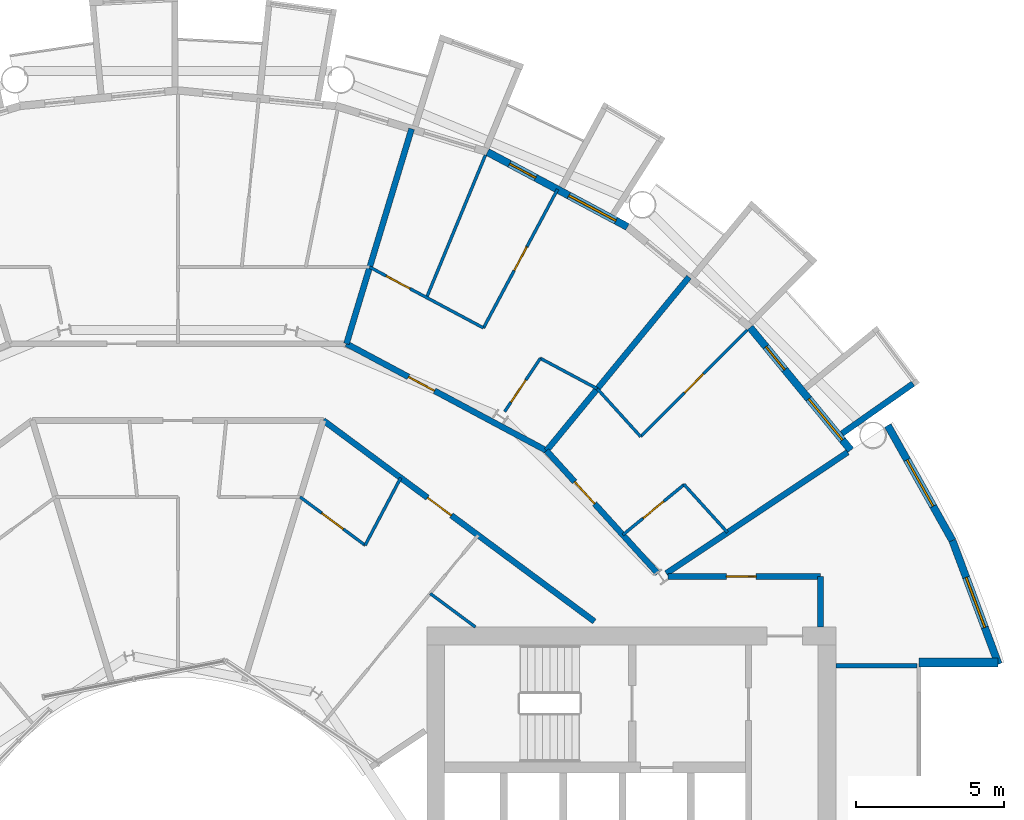
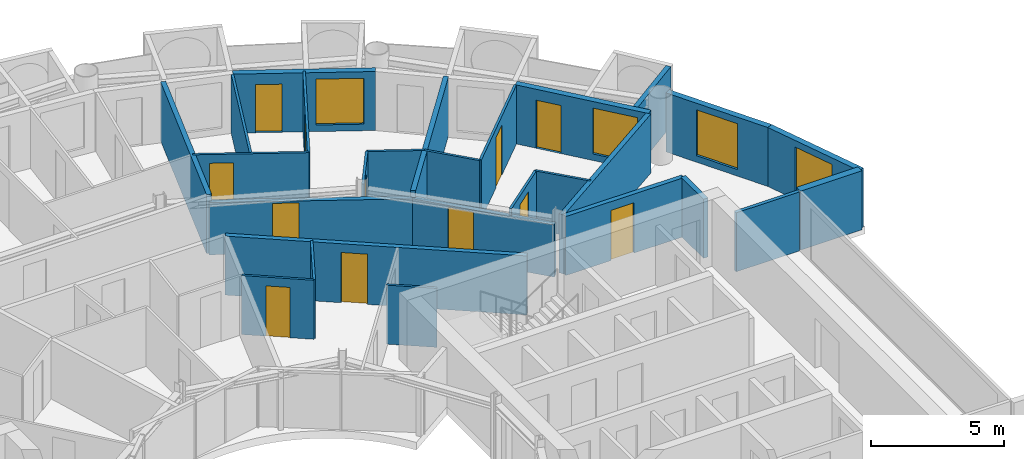
# One storey, part 22 of 27: 27 walls, 12 doors, 4 windows, 16 openings.
"""IFC4 building model written with IfcOpenShell, lengths in metres."""

import ifcopenshell
import ifcopenshell.guid

model = None  # the IFC model being written
_history = None  # IfcOwnerHistory: only IFC2X3 demands one
_inside = {}  # id of a spatial element -> (the spatial element, [elements in it])
_under = {}  # id of a project, library or spatial element -> (it, [spatial elements below it])
_declared = {}  # id of a project -> (the project, [libraries it declares])
_typed = {}  # id of a type object -> (the type object, [elements of that type])
_made_of = {}  # id of a material, layer set ... -> (it, [elements and type objects made of it])


def new_model(schema):
    """Start an empty IFC model of exactly this schema.

    Asked for "IFC4X3", IfcOpenShell would pick the latest addendum, in which some entities
    have other attributes; the version numbers below select the first issue.
    IFC2X3 requires an IfcOwnerHistory on every rooted entity: one is made here for all.
    """
    global model, _history
    if schema == "IFC4X3":
        model = ifcopenshell.file(schema_version=(4, 3, 0, 0))
    else:
        model = ifcopenshell.file(schema=schema)
    _inside.clear()
    _under.clear()
    _declared.clear()
    _typed.clear()
    _made_of.clear()
    _history = None
    if model.schema == "IFC2X3":
        org = make("IfcOrganization", Name="unknown")
        user = make(
            "IfcPersonAndOrganization",
            ThePerson=make("IfcPerson", FamilyName="unknown"),
            TheOrganization=org,
        )
        app = make(
            "IfcApplication",
            ApplicationDeveloper=org,
            Version="unknown",
            ApplicationFullName="unknown",
            ApplicationIdentifier="unknown",
        )
        _history = make(
            "IfcOwnerHistory",
            OwningUser=user,
            OwningApplication=app,
            ChangeAction="ADDED",
            CreationDate=0,
        )
    return model


def make(cls, **values):
    """One entity of the class cls with the attributes given. An attribute that is None is left unset."""
    return model.create_entity(
        cls, **{name: value for name, value in values.items() if value is not None}
    )


def rooted(cls, **values):
    """An entity with a GlobalId (a new one), such as an element, a storey or a relation."""
    return make(cls, GlobalId=ifcopenshell.guid.new(), OwnerHistory=_history, **values)


def si_unit(unit_type, name, prefix=None):
    """IfcSIUnit, for example si_unit("LENGTHUNIT", "METRE", prefix="MILLI")."""
    return make("IfcSIUnit", UnitType=unit_type, Prefix=prefix, Name=name)


def assignment(units):
    """IfcUnitAssignment: the units of a project."""
    return None if units is None else make("IfcUnitAssignment", Units=units)


def point(xyz):
    """IfcCartesianPoint."""
    return None if xyz is None else make("IfcCartesianPoint", Coordinates=xyz)


def direction(xyz):
    """IfcDirection."""
    return None if xyz is None else make("IfcDirection", DirectionRatios=xyz)


def frame(location, z_axis=None, x_axis=None):
    """IfcAxis2Placement3D, a coordinate frame: its origin and axes. An axis left out is left unset."""
    return make(
        "IfcAxis2Placement3D",
        Location=point(location),
        Axis=direction(z_axis),
        RefDirection=direction(x_axis),
    )


def frame_2d(location, x_axis=None):
    """IfcAxis2Placement2D, a coordinate frame in the plane: its origin and x axis."""
    return make(
        "IfcAxis2Placement2D", Location=point(location), RefDirection=direction(x_axis)
    )


def origin():
    """The frame at (0, 0, 0) with its axes left unset."""
    return frame((0.0, 0.0, 0.0))


def place(relative_to, where):
    """IfcLocalPlacement: puts the frame where relative to a parent placement (None: the world)."""
    return make(
        "IfcLocalPlacement", PlacementRelTo=relative_to, RelativePlacement=where
    )


def context(
    kind, dimensions, precision=None, world=None, true_north=None, identifier=None
):
    """IfcGeometricRepresentationContext, for example the 3D "Model" context."""
    return make(
        "IfcGeometricRepresentationContext",
        ContextIdentifier=identifier,
        ContextType=kind,
        CoordinateSpaceDimension=dimensions,
        Precision=precision,
        WorldCoordinateSystem=world,
        TrueNorth=true_north,
    )


def subcontext(parent, identifier, kind, view, scale=None):
    """IfcGeometricRepresentationSubContext, for example "Body" below "Model"."""
    return make(
        "IfcGeometricRepresentationSubContext",
        ContextIdentifier=identifier,
        ContextType=kind,
        ParentContext=parent,
        TargetScale=scale,
        TargetView=view,
    )


def project(units=None, contexts=None):
    """IfcProject with its units and contexts."""
    return rooted(
        "IfcProject",
        Name="project",
        RepresentationContexts=contexts,
        UnitsInContext=assignment(units),
    )


def spatial(cls, under=None, at=None, **own):
    """A site, building, storey or space (cls), placed at a placement, below another one or the project."""
    s = rooted(cls, ObjectPlacement=at, **own)
    if under is not None:
        _under.setdefault(under.id(), (under, []))[1].append(s)
    return s


def profile(cls, at=None, kind="AREA", **sizes):
    """A parametric profile (cls). Its sizes go by their IFC names, for example OverallWidth=200.0."""
    return make(cls, ProfileType=kind, Position=at, **sizes)


def rectangle(**sizes):
    """IfcRectangleProfileDef."""
    return profile("IfcRectangleProfileDef", **sizes)


def extrude(swept, where, along, depth):
    """IfcExtrudedAreaSolid: the profile swept, set in the frame where, extruded along a direction by depth."""
    return make(
        "IfcExtrudedAreaSolid",
        SweptArea=swept,
        Position=where,
        ExtrudedDirection=direction(along),
        Depth=depth,
    )


def shape(context_of_items, identifier, shape_type, items):
    """IfcShapeRepresentation: the items that make up one representation, for example the "Body"."""
    return make(
        "IfcShapeRepresentation",
        ContextOfItems=context_of_items,
        RepresentationIdentifier=identifier,
        RepresentationType=shape_type,
        Items=items,
    )


def material(Name=None, Category=None):
    """IfcMaterial."""
    return make("IfcMaterial", Name=Name, Category=Category)


def layer(
    of_material, thickness, ventilated=None, Name=None, Category=None, Priority=None
):
    """IfcMaterialLayer: one layer of a wall or slab, of a material (None: an air gap)."""
    return make(
        "IfcMaterialLayer",
        Material=of_material,
        LayerThickness=thickness,
        IsVentilated=ventilated,
        Name=Name,
        Category=Category,
        Priority=Priority,
    )


def layer_set(layers, Name=None):
    """IfcMaterialLayerSet."""
    return make("IfcMaterialLayerSet", MaterialLayers=layers, LayerSetName=Name)


def made_of(thing, what):
    """Note that an element or type object is made of a material, layer set ...; save() writes the relation."""
    if what is not None:
        _made_of.setdefault(what.id(), (what, []))[1].append(thing)
    return thing


def type_object(cls, material=None, **own):
    """A type object (cls), such as IfcWallType, which elements share."""
    return made_of(rooted(cls, **own), material)


def element(
    cls,
    number,
    at=None,
    inside=None,
    cuts=None,
    type_object=None,
    material=None,
    context=None,
    identifier="Body",
    shape_type=None,
    held_by="IfcProductDefinitionShape",
    body=None,
    shapes=None,
    **own,
):
    """One element of the class cls, such as IfcWall. Its Tag is "e" and its number.

    at: its placement. inside: the storey or other place that contains it. cuts: it is an
    opening in that element (IfcRelVoidsElement). A single representation is given by context,
    identifier, shape_type and body (its items); several are given by shapes. held_by: the class
    of the entity that holds the representations. save() writes the other relations.
    """
    e = rooted(cls, Tag="e%d" % number, ObjectPlacement=at, **own)
    if body is not None:
        shapes = [shape(context, identifier, shape_type, body)]
    if shapes is not None:
        e.Representation = make(held_by, Representations=shapes)
    if inside is not None:
        _inside.setdefault(inside.id(), (inside, []))[1].append(e)
    if cuts is not None:
        rooted(
            "IfcRelVoidsElement", RelatingBuildingElement=cuts, RelatedOpeningElement=e
        )
    if type_object is not None:
        _typed.setdefault(type_object.id(), (type_object, []))[1].append(e)
    return made_of(e, material)


def fill(opening, filler):
    """IfcRelFillsElement: the door or window that sits in an opening."""
    return rooted(
        "IfcRelFillsElement",
        RelatingOpeningElement=opening,
        RelatedBuildingElement=filler,
    )


def aggregate(whole, parts):
    """IfcRelAggregates: a whole, such as a stair, and the parts it consists of."""
    return rooted("IfcRelAggregates", RelatingObject=whole, RelatedObjects=parts)


def save(model, path):
    """Write the relations noted so far, then the file.

    IfcRelAggregates (storeys below a building ...), IfcRelContainedInSpatialStructure (elements
    in a storey), IfcRelDefinesByType, IfcRelAssociatesMaterial and IfcRelDeclares: one each for
    every whole, place, type object, material and project.
    """
    for whole, parts in _under.values():
        aggregate(whole, parts)
    for where, things in _inside.values():
        rooted(
            "IfcRelContainedInSpatialStructure",
            RelatedElements=things,
            RelatingStructure=where,
        )
    for kind, things in _typed.values():
        rooted("IfcRelDefinesByType", RelatedObjects=things, RelatingType=kind)
    for what, things in _made_of.values():
        rooted("IfcRelAssociatesMaterial", RelatedObjects=things, RelatingMaterial=what)
    for by, libraries in _declared.values():
        rooted("IfcRelDeclares", RelatingContext=by, RelatedDefinitions=libraries)
    model.write(path)


model = new_model("IFC4")

# Units and contexts
model_context = context("Model", 3, precision=1e-05, world=origin(), true_north=direction((0.0, 1.0)))
body_context = subcontext(model_context, "Body", "Model", "MODEL_VIEW")
ifc_project = project(units=[si_unit("LENGTHUNIT", "METRE"), si_unit("AREAUNIT", "SQUARE_METRE"), si_unit("VOLUMEUNIT", "CUBIC_METRE"), si_unit("PLANEANGLEUNIT", "RADIAN"), si_unit("MASSUNIT", "GRAM", prefix="KILO")], contexts=[model_context])

# Site, building, storey
site_placement = place(None, origin())
site = spatial("IfcSite", under=ifc_project, at=site_placement, CompositionType="ELEMENT")
building_placement = place(site_placement, origin())
building = spatial("IfcBuilding", under=site, at=building_placement, Name="Maasbend Ring Residences", CompositionType="ELEMENT")
storey_placement = place(building_placement, frame((0.0, 0.0, 117.75)))
storey = spatial("IfcBuildingStorey", under=building, at=storey_placement, Name="L33", CompositionType="ELEMENT", Elevation=117.75)

# Wall
ifc_material_1 = material(Name="Concrete C30/37", Category="concrete")
ifc_layer_1 = layer(ifc_material_1, 0.199951171875)
ifc_layer_set_1 = layer_set([ifc_layer_1], Name="Concrete C30/37")
wall_type_1 = type_object("IfcWallType", Name="CORRIDOR WALL 200 CONCRETE", PredefinedType="PARTITIONING", material=ifc_layer_set_1)
wall_1_placement = place(storey_placement, frame((21.675048828125, 9.199951171875, 0.0), z_axis=(0.0, 0.0, 1.0), x_axis=(0.0, 1.0, 0.0)))
element("IfcWall", 1, at=wall_1_placement, inside=storey, type_object=wall_type_1, Name="U-L33-w010", PredefinedType="PARTITIONING", context=body_context, shape_type="SweptSolid", body=[
    extrude(rectangle(XDim=1.699951171875, YDim=0.199951171875, at=frame_2d((0.85009765625, 0.0))), origin(), (0.0, 0.0, 1.0), 2.699951171875),
])

# Wall, opening, door
wall_2_placement = place(storey_placement, frame((16.541015625, 10.912109375, 0.0), z_axis=(0.0, 0.0, 1.0), x_axis=(0.999997173357, -0.002377662213, 0.0)))
wall_2 = element("IfcWall", 2, at=wall_2_placement, inside=storey, type_object=wall_type_1, Name="U-L33-w086", PredefinedType="PARTITIONING", context=body_context, shape_type="SweptSolid", body=[
    extrude(rectangle(XDim=5.134033203125, YDim=0.199951171875, at=frame_2d((2.56689453125, 0.0))), origin(), (0.0, 0.0, 1.0), 2.699951171875),
])
opening_1_placement = place(wall_2_placement, frame((1.962890625, 0.0, 0.0)))
opening_1 = element("IfcOpeningElement", 3, at=opening_1_placement, cuts=wall_2, Name="Opening D-3365", PredefinedType="OPENING", context=body_context, shape_type="SweptSolid", body=[
    extrude(rectangle(XDim=1.0, YDim=2.300048828125, at=frame_2d((0.5, 1.14990234375))), frame((0.0, 0.10986328125, 0.0), z_axis=(0.0, -1.0, 0.0), x_axis=(1.0, 0.0, 0.0)), (0.0, 0.0, 1.0), 0.219970703125),
])
ifc_material_2 = material(Name="Timber, painted", Category="wood")
door_type_1 = type_object("IfcDoorType", Name="ROOM DOOR 1000 X 2300", OperationType="NOTDEFINED", PredefinedType="DOOR", material=ifc_material_2)
door_1_placement = place(opening_1_placement, origin())
door_1 = element("IfcDoor", 4, at=door_1_placement, inside=storey, type_object=door_type_1, Name="D-3365", OperationType="SINGLE_SWING_LEFT", OverallHeight=2.300048828125, OverallWidth=1.0, PredefinedType="DOOR", context=body_context, shape_type="SweptSolid", body=[
    extrude(rectangle(XDim=1.0, YDim=2.300048828125, at=frame_2d((0.5, 1.14990234375))), frame((0.0, 0.02490234375, 0.0), z_axis=(0.0, -1.0, 0.0), x_axis=(1.0, 0.0, 0.0)), (0.0, 0.0, 1.0), 0.050048828125),
])
fill(opening_1, door_1)

wall_3_placement = place(storey_placement, frame((4.906005859375, 16.172119140625, 0.0), z_axis=(0.0, 0.0, 1.0), x_axis=(0.803204584823, -0.59570327758, 0.0)))
wall_3 = element("IfcWall", 5, at=wall_3_placement, inside=storey, type_object=wall_type_1, Name="U-L33-w094", PredefinedType="PARTITIONING", context=body_context, shape_type="SweptSolid", body=[
    extrude(rectangle(XDim=11.386962890625, YDim=0.199951171875, at=frame_2d((5.693359375, 0.0))), origin(), (0.0, 0.0, 1.0), 2.699951171875),
])
opening_2_placement = place(wall_3_placement, frame((4.3798828125, 0.0, 0.0)))
opening_2 = element("IfcOpeningElement", 6, at=opening_2_placement, cuts=wall_3, Name="Opening D-3321", PredefinedType="OPENING", context=body_context, shape_type="SweptSolid", body=[
    extrude(rectangle(XDim=1.0, YDim=2.300048828125, at=frame_2d((0.5, 1.14990234375))), frame((0.0, 0.10986328125, 0.0), z_axis=(0.0, -1.0, 0.0), x_axis=(1.0, 0.0, 0.0)), (0.0, 0.0, 1.0), 0.219970703125),
])
ifc_material_3 = material(Name="Timber, fire-rated, painted", Category="wood")
door_type_2 = type_object("IfcDoorType", Name="FLAT ENTRANCE DOOR 1000 X 2300 FIRE-RATED", OperationType="NOTDEFINED", PredefinedType="DOOR", material=ifc_material_3)
door_2_placement = place(opening_2_placement, origin())
door_2 = element("IfcDoor", 7, at=door_2_placement, inside=storey, type_object=door_type_2, Name="D-3321", OperationType="SINGLE_SWING_LEFT", OverallHeight=2.300048828125, OverallWidth=1.0, PredefinedType="DOOR", context=body_context, shape_type="SweptSolid", body=[
    extrude(rectangle(XDim=1.0, YDim=2.300048828125, at=frame_2d((0.5, 1.14990234375))), frame((0.0, 0.02490234375, 0.0), z_axis=(0.0, -1.0, 0.0), x_axis=(1.0, 0.0, 0.0)), (0.0, 0.0, 1.0), 0.050048828125),
])
fill(opening_2, door_2)

wall_4_placement = place(storey_placement, frame((5.68701171875, 18.757080078125, 0.0), z_axis=(0.0, 0.0, 1.0), x_axis=(0.8819312112, -0.471378127104, 0.0)))
wall_4 = element("IfcWall", 8, at=wall_4_placement, inside=storey, type_object=wall_type_1, Name="U-L33-w098", PredefinedType="PARTITIONING", context=body_context, shape_type="SweptSolid", body=[
    extrude(rectangle(XDim=7.650390625, YDim=0.199951171875, at=frame_2d((3.8251953125, 0.0))), origin(), (0.0, 0.0, 1.0), 2.389892578125),
])
opening_3_placement = place(wall_4_placement, frame((2.37109375, 0.0, 0.0)))
opening_3 = element("IfcOpeningElement", 9, at=opening_3_placement, cuts=wall_4, Name="Opening D-3304", PredefinedType="OPENING", context=body_context, shape_type="SweptSolid", body=[
    extrude(rectangle(XDim=1.0, YDim=2.300048828125, at=frame_2d((0.5, 1.14990234375))), frame((0.0, 0.10986328125, 0.0), z_axis=(0.0, -1.0, 0.0), x_axis=(1.0, 0.0, 0.0)), (0.0, 0.0, 1.0), 0.219970703125),
])
door_3_placement = place(opening_3_placement, origin())
door_3 = element("IfcDoor", 10, at=door_3_placement, inside=storey, type_object=door_type_2, Name="D-3304", OperationType="SINGLE_SWING_LEFT", OverallHeight=2.300048828125, OverallWidth=1.0, PredefinedType="DOOR", context=body_context, shape_type="SweptSolid", body=[
    extrude(rectangle(XDim=1.0, YDim=2.300048828125, at=frame_2d((0.5, 1.14990234375))), frame((0.0, 0.02490234375, 0.0), z_axis=(0.0, -1.0, 0.0), x_axis=(1.0, 0.0, 0.0)), (0.0, 0.0, 1.0), 0.050048828125),
])
fill(opening_3, door_3)

wall_5_placement = place(storey_placement, frame((12.43408203125, 15.15087890625, 0.0), z_axis=(0.0, 0.0, 1.0), x_axis=(0.671481997275, -0.741020868354, 0.0)))
wall_5 = element("IfcWall", 11, at=wall_5_placement, inside=storey, type_object=wall_type_1, Name="U-L33-w100", PredefinedType="PARTITIONING", context=body_context, shape_type="SweptSolid", body=[
    extrude(rectangle(XDim=5.59619140625, YDim=0.199951171875, at=frame_2d((2.798095703125, 0.0))), origin(), (0.0, 0.0, 1.0), 2.389892578125),
])
opening_4_placement = place(wall_5_placement, frame((1.4169921875, 0.0, 0.0)))
opening_4 = element("IfcOpeningElement", 12, at=opening_4_placement, cuts=wall_5, Name="Opening D-3301", PredefinedType="OPENING", context=body_context, shape_type="SweptSolid", body=[
    extrude(rectangle(XDim=1.0, YDim=2.300048828125, at=frame_2d((0.5, 1.14990234375))), frame((0.0, 0.10986328125, 0.0), z_axis=(0.0, -1.0, 0.0), x_axis=(1.0, 0.0, 0.0)), (0.0, 0.0, 1.0), 0.219970703125),
])
door_4_placement = place(opening_4_placement, origin())
door_4 = element("IfcDoor", 13, at=door_4_placement, inside=storey, type_object=door_type_2, Name="D-3301", OperationType="SINGLE_SWING_LEFT", OverallHeight=2.300048828125, OverallWidth=1.0, PredefinedType="DOOR", context=body_context, shape_type="SweptSolid", body=[
    extrude(rectangle(XDim=1.0, YDim=2.300048828125, at=frame_2d((0.5, 1.14990234375))), frame((0.0, 0.02490234375, 0.0), z_axis=(0.0, -1.0, 0.0), x_axis=(1.0, 0.0, 0.0)), (0.0, 0.0, 1.0), 0.050048828125),
])
fill(opening_4, door_4)

# Wall
ifc_material_4 = material(Name="Pale anodised aluminium panel", Category="aluminium")
ifc_layer_2 = layer(ifc_material_4, 0.199951171875)
ifc_layer_set_2 = layer_set([ifc_layer_2], Name="EW-BOX")
wall_type_2 = type_object("IfcWallType", Name="EW-BOX", PredefinedType="SOLIDWALL", material=ifc_layer_set_2)
wall_6_placement = place(storey_placement, frame((22.402099609375, 15.72607421875, -0.030029296875), z_axis=(0.0, 0.0, 1.0), x_axis=(0.818275399393, 0.574826383135, 0.0)))
element("IfcWall", 14, at=wall_6_placement, inside=storey, type_object=wall_type_2, Name="Box side wall N01 left", PredefinedType="SOLIDWALL", context=body_context, shape_type="SweptSolid", body=[
    extrude(rectangle(XDim=2.92919921875, YDim=0.199951171875, at=frame_2d((1.464599609375, 0.0))), origin(), (0.0, 0.0, 1.0), 2.72998046875),
])

# Wall, openings, door, window
ifc_material_5 = material(Name="Aluminium clad insulated panel", Category="aluminium")
ifc_layer_3 = layer(ifc_material_5, 0.25)
ifc_layer_set_3 = layer_set([ifc_layer_3], Name="EW-GL")
wall_type_3 = type_object("IfcWallType", Name="EW-GL", PredefinedType="SOLIDWALL", material=ifc_layer_set_3)
wall_7_placement = place(storey_placement, frame((22.698974609375, 15.1669921875, 0.0), z_axis=(0.0, 0.0, 1.0), x_axis=(-0.634382322723, 0.773019449054, 0.0)))
wall_7 = element("IfcWall", 15, at=wall_7_placement, inside=storey, type_object=wall_type_3, Name="External wall N01", PredefinedType="SOLIDWALL", context=body_context, shape_type="SweptSolid", body=[
    extrude(rectangle(XDim=5.351806640625, YDim=0.25, at=frame_2d((2.67578125, 0.0))), origin(), (0.0, 0.0, 1.0), 2.699951171875),
])
opening_5_placement = place(wall_7_placement, frame((0.441162109375, 0.0, 0.300048828125)))
opening_5 = element("IfcOpeningElement", 16, at=opening_5_placement, cuts=wall_7, Name="Opening W-BX", PredefinedType="OPENING", context=body_context, shape_type="SweptSolid", body=[
    extrude(rectangle(XDim=1.800048828125, YDim=2.10009765625, at=frame_2d((0.89990234375, 1.050048828125))), frame((0.0, 0.135009765625, 0.0), z_axis=(0.0, -1.0, 0.0), x_axis=(1.0, 0.0, 0.0)), (0.0, 0.0, 1.0), 0.27001953125),
])
opening_6_placement = place(wall_7_placement, frame((3.510498046875, 0.0, 0.0)))
opening_6 = element("IfcOpeningElement", 17, at=opening_6_placement, cuts=wall_7, Name="Opening D-LG", PredefinedType="OPENING", context=body_context, shape_type="SweptSolid", body=[
    extrude(rectangle(XDim=1.0, YDim=2.199951171875, at=frame_2d((0.5, 1.10009765625))), frame((0.0, 0.135009765625, 0.0), z_axis=(0.0, -1.0, 0.0), x_axis=(1.0, 0.0, 0.0)), (0.0, 0.0, 1.0), 0.27001953125),
])
ifc_material_6 = material(Name="Aluminium and clear glass", Category="aluminium")
door_type_3 = type_object("IfcDoorType", Name="D-LG", OperationType="SINGLE_SWING_LEFT", PredefinedType="DOOR", material=ifc_material_6)
door_5_placement = place(opening_6_placement, origin())
door_5 = element("IfcDoor", 18, at=door_5_placement, inside=storey, type_object=door_type_3, Name="Loggia door N02", OperationType="SINGLE_SWING_LEFT", OverallHeight=2.199951171875, OverallWidth=1.0, PredefinedType="DOOR", context=body_context, shape_type="SweptSolid", body=[
    extrude(rectangle(XDim=1.0, YDim=2.199951171875, at=frame_2d((0.5, 1.10009765625))), frame((0.0, 0.02490234375, 0.0), z_axis=(0.0, -1.0, 0.0), x_axis=(1.0, 0.0, 0.0)), (0.0, 0.0, 1.0), 0.050048828125),
])
fill(opening_6, door_5)
ifc_material_7 = material(Name="Aluminium and clear glass", Category="aluminium")
window_type = type_object("IfcWindowType", Name="W-BX", PartitioningType="DOUBLE_PANEL_VERTICAL", PredefinedType="WINDOW", material=ifc_material_7)
window_1_placement = place(opening_5_placement, origin())
window_1 = element("IfcWindow", 19, at=window_1_placement, inside=storey, type_object=window_type, Name="Window N01 room to box", OverallHeight=2.10009765625, OverallWidth=1.800048828125, PartitioningType="SINGLE_PANEL", PredefinedType="WINDOW", context=body_context, shape_type="SweptSolid", body=[
    extrude(rectangle(XDim=1.800048828125, YDim=2.10009765625, at=frame_2d((0.89990234375, 1.050048828125))), frame((0.0, 0.030029296875, 0.0), z_axis=(0.0, -1.0, 0.0), x_axis=(1.0, 0.0, 0.0)), (0.0, 0.0, 1.0), 0.06005859375),
])
fill(opening_5, window_1)

wall_8_placement = place(storey_placement, frame((15.1669921875, 22.698974609375, 0.0), z_axis=(0.0, 0.0, 1.0), x_axis=(-0.881915646801, 0.471407246368, 0.0)))
wall_8 = element("IfcWall", 20, at=wall_8_placement, inside=storey, type_object=wall_type_3, Name="External wall N03", PredefinedType="SOLIDWALL", context=body_context, shape_type="SweptSolid", body=[
    extrude(rectangle(XDim=5.35205078125, YDim=0.25, at=frame_2d((2.676025390625, 0.0))), origin(), (0.0, 0.0, 1.0), 2.699951171875),
])
opening_7_placement = place(wall_8_placement, frame((0.441162109375, 0.0, 0.300048828125)))
opening_7 = element("IfcOpeningElement", 21, at=opening_7_placement, cuts=wall_8, Name="Opening W-BX", PredefinedType="OPENING", context=body_context, shape_type="SweptSolid", body=[
    extrude(rectangle(XDim=1.800048828125, YDim=2.10009765625, at=frame_2d((0.89990234375, 1.050048828125))), frame((0.0, 0.135009765625, 0.0), z_axis=(0.0, -1.0, 0.0), x_axis=(1.0, 0.0, 0.0)), (0.0, 0.0, 1.0), 0.27001953125),
])
opening_8_placement = place(wall_8_placement, frame((3.510498046875, 0.0, 0.0)))
opening_8 = element("IfcOpeningElement", 22, at=opening_8_placement, cuts=wall_8, Name="Opening D-LG", PredefinedType="OPENING", context=body_context, shape_type="SweptSolid", body=[
    extrude(rectangle(XDim=1.0, YDim=2.199951171875, at=frame_2d((0.5, 1.10009765625))), frame((0.0, 0.135009765625, 0.0), z_axis=(0.0, -1.0, 0.0), x_axis=(1.0, 0.0, 0.0)), (0.0, 0.0, 1.0), 0.27001953125),
])
door_6_placement = place(opening_8_placement, origin())
door_6 = element("IfcDoor", 23, at=door_6_placement, inside=storey, type_object=door_type_3, Name="Loggia door N06", OperationType="SINGLE_SWING_LEFT", OverallHeight=2.199951171875, OverallWidth=1.0, PredefinedType="DOOR", context=body_context, shape_type="SweptSolid", body=[
    extrude(rectangle(XDim=1.0, YDim=2.199951171875, at=frame_2d((0.5, 1.10009765625))), frame((0.0, 0.02490234375, 0.0), z_axis=(0.0, -1.0, 0.0), x_axis=(1.0, 0.0, 0.0)), (0.0, 0.0, 1.0), 0.050048828125),
])
fill(opening_8, door_6)
window_2_placement = place(opening_7_placement, origin())
window_2 = element("IfcWindow", 24, at=window_2_placement, inside=storey, type_object=window_type, Name="Window N05 room to box", OverallHeight=2.10009765625, OverallWidth=1.800048828125, PartitioningType="SINGLE_PANEL", PredefinedType="WINDOW", context=body_context, shape_type="SweptSolid", body=[
    extrude(rectangle(XDim=1.800048828125, YDim=2.10009765625, at=frame_2d((0.89990234375, 1.050048828125))), frame((0.0, 0.030029296875, 0.0), z_axis=(0.0, -1.0, 0.0), x_axis=(1.0, 0.0, 0.0)), (0.0, 0.0, 1.0), 0.06005859375),
])
fill(opening_7, window_2)

# Wall, opening, window
ifc_material_8 = material(Name="Aluminium clad insulated panel", Category="aluminium")
ifc_layer_4 = layer(ifc_material_8, 0.25)
ifc_layer_set_4 = layer_set([ifc_layer_4], Name="EW-HORN")
wall_type_4 = type_object("IfcWallType", Name="EW-HORN", PredefinedType="SOLIDWALL", material=ifc_layer_set_4)
wall_9_placement = place(storey_placement, frame((27.681884765625, 7.945068359375, 0.0), z_axis=(0.0, 0.0, 1.0), x_axis=(-0.349247811493, 0.937030397675, 0.0)))
wall_9 = element("IfcWall", 25, at=wall_9_placement, inside=storey, type_object=wall_type_4, Name="Horn wall 1.1", PredefinedType="SOLIDWALL", context=body_context, shape_type="SweptSolid", body=[
    extrude(rectangle(XDim=4.4521484375, YDim=0.25, at=frame_2d((2.22607421875, 0.0))), origin(), (0.0, 0.0, 1.0), 2.699951171875),
])
opening_9_placement = place(wall_9_placement, frame((1.32666015625, 0.0, 0.300048828125)))
opening_9 = element("IfcOpeningElement", 26, at=opening_9_placement, cuts=wall_9, Name="Opening W-BX", PredefinedType="OPENING", context=body_context, shape_type="SweptSolid", body=[
    extrude(rectangle(XDim=1.800048828125, YDim=2.10009765625, at=frame_2d((0.89990234375, 1.050048828125))), frame((0.0, 0.135009765625, 0.0), z_axis=(0.0, -1.0, 0.0), x_axis=(1.0, 0.0, 0.0)), (0.0, 0.0, 1.0), 0.27001953125),
])
window_3_placement = place(opening_9_placement, origin())
window_3 = element("IfcWindow", 27, at=window_3_placement, inside=storey, type_object=window_type, Name="Horn window 1.1", OverallHeight=2.10009765625, OverallWidth=1.800048828125, PartitioningType="SINGLE_PANEL", PredefinedType="WINDOW", context=body_context, shape_type="SweptSolid", body=[
    extrude(rectangle(XDim=1.800048828125, YDim=2.10009765625, at=frame_2d((0.89990234375, 1.050048828125))), frame((0.0, 0.030029296875, 0.0), z_axis=(0.0, -1.0, 0.0), x_axis=(1.0, 0.0, 0.0)), (0.0, 0.0, 1.0), 0.06005859375),
])
fill(opening_9, window_3)

wall_10_placement = place(storey_placement, frame((26.126953125, 12.116943359375, 0.0), z_axis=(0.0, 0.0, 1.0), x_axis=(-0.489696356642, 0.871893042919, 0.0)))
wall_10 = element("IfcWall", 28, at=wall_10_placement, inside=storey, type_object=wall_type_4, Name="Horn wall 1.2", PredefinedType="SOLIDWALL", context=body_context, shape_type="SweptSolid", body=[
    extrude(rectangle(XDim=4.45361328125, YDim=0.25, at=frame_2d((2.226806640625, 0.0))), origin(), (0.0, 0.0, 1.0), 2.699951171875),
])
opening_10_placement = place(wall_10_placement, frame((1.32666015625, 0.0, 0.300048828125)))
opening_10 = element("IfcOpeningElement", 29, at=opening_10_placement, cuts=wall_10, Name="Opening W-BX", PredefinedType="OPENING", context=body_context, shape_type="SweptSolid", body=[
    extrude(rectangle(XDim=1.800048828125, YDim=2.10009765625, at=frame_2d((0.89990234375, 1.050048828125))), frame((0.0, 0.135009765625, 0.0), z_axis=(0.0, -1.0, 0.0), x_axis=(1.0, 0.0, 0.0)), (0.0, 0.0, 1.0), 0.27001953125),
])
window_4_placement = place(opening_10_placement, origin())
window_4 = element("IfcWindow", 30, at=window_4_placement, inside=storey, type_object=window_type, Name="Horn window 1.2", OverallHeight=2.10009765625, OverallWidth=1.800048828125, PartitioningType="SINGLE_PANEL", PredefinedType="WINDOW", context=body_context, shape_type="SweptSolid", body=[
    extrude(rectangle(XDim=1.800048828125, YDim=2.10009765625, at=frame_2d((0.89990234375, 1.050048828125))), frame((0.0, 0.030029296875, 0.0), z_axis=(0.0, -1.0, 0.0), x_axis=(1.0, 0.0, 0.0)), (0.0, 0.0, 1.0), 0.06005859375),
])
fill(opening_10, window_4)

# Walls
ifc_material_9 = material(Name="Aluminium clad insulated panel", Category="aluminium")
ifc_layer_5 = layer(ifc_material_9, 0.300048828125)
ifc_layer_set_5 = layer_set([ifc_layer_5], Name="EW-RET")
wall_type_5 = type_object("IfcWallType", Name="EW-RET", PredefinedType="SOLIDWALL", material=ifc_layer_set_5)
wall_11_placement = place(storey_placement, frame((25.0, 8.0, 0.0), z_axis=(0.0, 0.0, 1.0), x_axis=(1.0, 0.0, 0.0)))
element("IfcWall", 31, at=wall_11_placement, inside=storey, type_object=wall_type_5, Name="Notch return wall east north", PredefinedType="SOLIDWALL", context=body_context, shape_type="SweptSolid", body=[
    extrude(rectangle(XDim=2.6669921875, YDim=0.300048828125, at=frame_2d((1.33349609375, 0.0))), origin(), (0.0, 0.0, 1.0), 2.699951171875),
])
ifc_material_10 = material(Name="Gypsum board on steel studs", Category="steel")
ifc_layer_6 = layer(ifc_material_10, 0.10009765625)
ifc_layer_set_6 = layer_set([ifc_layer_6], Name="PARTITION 100 GYPSUM")
wall_type_6 = type_object("IfcWallType", Name="PARTITION 100 GYPSUM", PredefinedType="PARTITIONING", material=ifc_layer_set_6)
wall_12_placement = place(storey_placement, frame((6.318115234375, 11.9599609375, 0.0), z_axis=(0.0, 0.0, 1.0), x_axis=(0.467001992543, 0.884256263173, 0.0)))
element("IfcWall", 32, at=wall_12_placement, inside=storey, type_object=wall_type_6, Name="U-L33-w068", PredefinedType="PARTITIONING", context=body_context, shape_type="SweptSolid", body=[
    extrude(rectangle(XDim=2.571533203125, YDim=0.10009765625, at=frame_2d((1.28564453125, 0.0))), origin(), (0.0, 0.0, 1.0), 2.699951171875),
])
wall_13_placement = place(storey_placement, frame((8.39208984375, 20.31396484375, 0.0), z_axis=(0.0, 0.0, 1.0), x_axis=(0.381673756215, 0.924297107978, 0.0)))
element("IfcWall", 33, at=wall_13_placement, inside=storey, type_object=wall_type_6, Name="U-L33-w070", PredefinedType="PARTITIONING", context=body_context, shape_type="SweptSolid", body=[
    extrude(rectangle(XDim=5.1953125, YDim=0.10009765625, at=frame_2d((2.59765625, 0.0))), origin(), (0.0, 0.0, 1.0), 2.699951171875),
])

# Wall, opening, door
wall_14_placement = place(storey_placement, frame((10.31005859375, 19.2890625, 0.0), z_axis=(0.0, 0.0, 1.0), x_axis=(0.47140999111, 0.881914179658, 0.0)))
wall_14 = element("IfcWall", 34, at=wall_14_placement, inside=storey, type_object=wall_type_6, Name="U-L33-w071", PredefinedType="PARTITIONING", context=body_context, shape_type="SweptSolid", body=[
    extrude(rectangle(XDim=5.30322265625, YDim=0.10009765625, at=frame_2d((2.651611328125, 0.0))), origin(), (0.0, 0.0, 1.0), 2.699951171875),
])
opening_11_placement = place(wall_14_placement, frame((2.201904296875, 0.0, 0.0)))
opening_11 = element("IfcOpeningElement", 35, at=opening_11_placement, cuts=wall_14, Name="Opening D-3306", PredefinedType="OPENING", context=body_context, shape_type="SweptSolid", body=[
    extrude(rectangle(XDim=0.89990234375, YDim=2.300048828125, at=frame_2d((0.449951171875, 1.14990234375))), frame((0.0, 0.06005859375, 0.0), z_axis=(0.0, -1.0, 0.0), x_axis=(1.0, 0.0, 0.0)), (0.0, 0.0, 1.0), 0.1201171875),
])
ifc_material_11 = material(Name="Timber, painted", Category="wood")
door_type_4 = type_object("IfcDoorType", Name="INTERNAL DOOR 900 X 2300", OperationType="NOTDEFINED", PredefinedType="DOOR", material=ifc_material_11)
door_7_placement = place(opening_11_placement, origin())
door_7 = element("IfcDoor", 36, at=door_7_placement, inside=storey, type_object=door_type_4, Name="D-3306", OperationType="SINGLE_SWING_RIGHT", OverallHeight=2.300048828125, OverallWidth=0.89990234375, PredefinedType="DOOR", context=body_context, shape_type="SweptSolid", body=[
    extrude(rectangle(XDim=0.89990234375, YDim=2.300048828125, at=frame_2d((0.449951171875, 1.14990234375))), frame((0.0, 0.02490234375, 0.0), z_axis=(0.0, -1.0, 0.0), x_axis=(1.0, 0.0, 0.0)), (0.0, 0.0, 1.0), 0.050048828125),
])
fill(opening_11, door_7)

wall_15_placement = place(storey_placement, frame((11.02490234375, 16.466064453125, 0.0), z_axis=(0.0, 0.0, 1.0), x_axis=(0.556469477731, 0.830868052313, 0.0)))
wall_15 = element("IfcWall", 37, at=wall_15_placement, inside=storey, type_object=wall_type_6, Name="U-L33-w074", PredefinedType="PARTITIONING", context=body_context, shape_type="SweptSolid", body=[
    extrude(rectangle(XDim=2.163818359375, YDim=0.10009765625, at=frame_2d((1.08203125, 0.0))), origin(), (0.0, 0.0, 1.0), 2.699951171875),
])
opening_12_placement = place(wall_15_placement, frame((0.383056640625, 0.0, 0.0)))
opening_12 = element("IfcOpeningElement", 38, at=opening_12_placement, cuts=wall_15, Name="Opening D-3305", PredefinedType="OPENING", context=body_context, shape_type="SweptSolid", body=[
    extrude(rectangle(XDim=0.89990234375, YDim=2.300048828125, at=frame_2d((0.449951171875, 1.14990234375))), frame((0.0, 0.06005859375, 0.0), z_axis=(0.0, -1.0, 0.0), x_axis=(1.0, 0.0, 0.0)), (0.0, 0.0, 1.0), 0.1201171875),
])
door_8_placement = place(opening_12_placement, origin())
door_8 = element("IfcDoor", 39, at=door_8_placement, inside=storey, type_object=door_type_4, Name="D-3305", OperationType="SINGLE_SWING_LEFT", OverallHeight=2.300048828125, OverallWidth=0.89990234375, PredefinedType="DOOR", context=body_context, shape_type="SweptSolid", body=[
    extrude(rectangle(XDim=0.89990234375, YDim=2.300048828125, at=frame_2d((0.449951171875, 1.14990234375))), frame((0.0, 0.02490234375, 0.0), z_axis=(0.0, -1.0, 0.0), x_axis=(1.0, 0.0, 0.0)), (0.0, 0.0, 1.0), 0.050048828125),
])
fill(opening_12, door_8)

wall_16_placement = place(storey_placement, frame((15.010009765625, 12.30908203125, 0.0), z_axis=(0.0, 0.0, 1.0), x_axis=(0.773240932873, 0.634112339992, 0.0)))
wall_16 = element("IfcWall", 40, at=wall_16_placement, inside=storey, type_object=wall_type_6, Name="U-L33-w077", PredefinedType="PARTITIONING", context=body_context, shape_type="SweptSolid", body=[
    extrude(rectangle(XDim=2.67431640625, YDim=0.10009765625, at=frame_2d((1.337158203125, 0.0))), origin(), (0.0, 0.0, 1.0), 2.699951171875),
])
opening_13_placement = place(wall_16_placement, frame((0.886962890625, 0.0, 0.0)))
opening_13 = element("IfcOpeningElement", 41, at=opening_13_placement, cuts=wall_16, Name="Opening D-3302", PredefinedType="OPENING", context=body_context, shape_type="SweptSolid", body=[
    extrude(rectangle(XDim=0.89990234375, YDim=2.300048828125, at=frame_2d((0.449951171875, 1.14990234375))), frame((0.0, 0.06005859375, 0.0), z_axis=(0.0, -1.0, 0.0), x_axis=(1.0, 0.0, 0.0)), (0.0, 0.0, 1.0), 0.1201171875),
])
door_9_placement = place(opening_13_placement, origin())
door_9 = element("IfcDoor", 42, at=door_9_placement, inside=storey, type_object=door_type_4, Name="D-3302", OperationType="SINGLE_SWING_LEFT", OverallHeight=2.300048828125, OverallWidth=0.89990234375, PredefinedType="DOOR", context=body_context, shape_type="SweptSolid", body=[
    extrude(rectangle(XDim=0.89990234375, YDim=2.300048828125, at=frame_2d((0.449951171875, 1.14990234375))), frame((0.0, 0.02490234375, 0.0), z_axis=(0.0, -1.0, 0.0), x_axis=(1.0, 0.0, 0.0)), (0.0, 0.0, 1.0), 0.050048828125),
])
fill(opening_13, door_9)

wall_17_placement = place(storey_placement, frame((15.613037109375, 15.62109375, 0.0), z_axis=(0.0, 0.0, 1.0), x_axis=(0.706914880313, 0.707298629994, 0.0)))
wall_17 = element("IfcWall", 43, at=wall_17_placement, inside=storey, type_object=wall_type_6, Name="U-L33-w079", PredefinedType="PARTITIONING", context=body_context, shape_type="SweptSolid", body=[
    extrude(rectangle(XDim=5.089599609375, YDim=0.10009765625, at=frame_2d((2.544921875, 0.0))), origin(), (0.0, 0.0, 1.0), 2.699951171875),
])
opening_14_placement = place(wall_17_placement, frame((2.094970703125, 0.0, 0.0)))
opening_14 = element("IfcOpeningElement", 44, at=opening_14_placement, cuts=wall_17, Name="Opening D-3303", PredefinedType="OPENING", context=body_context, shape_type="SweptSolid", body=[
    extrude(rectangle(XDim=0.89990234375, YDim=2.300048828125, at=frame_2d((0.449951171875, 1.14990234375))), frame((0.0, 0.06005859375, 0.0), z_axis=(0.0, -1.0, 0.0), x_axis=(1.0, 0.0, 0.0)), (0.0, 0.0, 1.0), 0.1201171875),
])
door_10_placement = place(opening_14_placement, origin())
door_10 = element("IfcDoor", 45, at=door_10_placement, inside=storey, type_object=door_type_4, Name="D-3303", OperationType="SINGLE_SWING_RIGHT", OverallHeight=2.300048828125, OverallWidth=0.89990234375, PredefinedType="DOOR", context=body_context, shape_type="SweptSolid", body=[
    extrude(rectangle(XDim=0.89990234375, YDim=2.300048828125, at=frame_2d((0.449951171875, 1.14990234375))), frame((0.0, 0.02490234375, 0.0), z_axis=(0.0, -1.0, 0.0), x_axis=(1.0, 0.0, 0.0)), (0.0, 0.0, 1.0), 0.050048828125),
])
fill(opening_14, door_10)

wall_18_placement = place(storey_placement, frame((4.1220703125, 13.589111328125, 0.0), z_axis=(0.0, 0.0, 1.0), x_axis=(0.803128348509, -0.595806055542, 0.0)))
wall_18 = element("IfcWall", 46, at=wall_18_placement, inside=storey, type_object=wall_type_6, Name="U-L33-w089", PredefinedType="PARTITIONING", context=body_context, shape_type="SweptSolid", body=[
    extrude(rectangle(XDim=2.734375, YDim=0.10009765625, at=frame_2d((1.3671875, 0.0))), origin(), (0.0, 0.0, 1.0), 2.699951171875),
])
opening_15_placement = place(wall_18_placement, frame((0.9169921875, 0.0, 0.0)))
opening_15 = element("IfcOpeningElement", 47, at=opening_15_placement, cuts=wall_18, Name="Opening D-3322", PredefinedType="OPENING", context=body_context, shape_type="SweptSolid", body=[
    extrude(rectangle(XDim=0.89990234375, YDim=2.300048828125, at=frame_2d((0.449951171875, 1.14990234375))), frame((0.0, 0.06005859375, 0.0), z_axis=(0.0, -1.0, 0.0), x_axis=(1.0, 0.0, 0.0)), (0.0, 0.0, 1.0), 0.1201171875),
])
door_11_placement = place(opening_15_placement, origin())
door_11 = element("IfcDoor", 48, at=door_11_placement, inside=storey, type_object=door_type_4, Name="D-3322", OperationType="SINGLE_SWING_LEFT", OverallHeight=2.300048828125, OverallWidth=0.89990234375, PredefinedType="DOOR", context=body_context, shape_type="SweptSolid", body=[
    extrude(rectangle(XDim=0.89990234375, YDim=2.300048828125, at=frame_2d((0.449951171875, 1.14990234375))), frame((0.0, 0.02490234375, 0.0), z_axis=(0.0, -1.0, 0.0), x_axis=(1.0, 0.0, 0.0)), (0.0, 0.0, 1.0), 0.050048828125),
])
fill(opening_15, door_11)

# Wall
wall_19_placement = place(storey_placement, frame((8.512939453125, 10.33203125, 0.0), z_axis=(0.0, 0.0, 1.0), x_axis=(0.803149591038, -0.595777420196, 0.0)))
element("IfcWall", 49, at=wall_19_placement, inside=storey, type_object=wall_type_6, Name="U-L33-w090", PredefinedType="PARTITIONING", context=body_context, shape_type="SweptSolid", body=[
    extrude(rectangle(XDim=1.900146484375, YDim=0.10009765625, at=frame_2d((0.9501953125, 0.0))), origin(), (0.0, 0.0, 1.0), 2.699951171875),
])

# Wall, opening, door
wall_20_placement = place(storey_placement, frame((6.470947265625, 21.341064453125, 0.0), z_axis=(0.0, 0.0, 1.0), x_axis=(0.881932070463, -0.471376519451, 0.0)))
wall_20 = element("IfcWall", 50, at=wall_20_placement, inside=storey, type_object=wall_type_6, Name="U-L33-w107", PredefinedType="PARTITIONING", context=body_context, shape_type="SweptSolid", body=[
    extrude(rectangle(XDim=4.355224609375, YDim=0.10009765625, at=frame_2d((2.177734375, 0.0))), origin(), (0.0, 0.0, 1.0), 2.699951171875),
])
opening_16_placement = place(wall_20_placement, frame((0.638916015625, 0.0, 0.0)))
opening_16 = element("IfcOpeningElement", 51, at=opening_16_placement, cuts=wall_20, Name="Opening D-3307", PredefinedType="OPENING", context=body_context, shape_type="SweptSolid", body=[
    extrude(rectangle(XDim=0.89990234375, YDim=2.300048828125, at=frame_2d((0.449951171875, 1.14990234375))), frame((0.0, 0.06005859375, 0.0), z_axis=(0.0, -1.0, 0.0), x_axis=(1.0, 0.0, 0.0)), (0.0, 0.0, 1.0), 0.1201171875),
])
door_12_placement = place(opening_16_placement, origin())
door_12 = element("IfcDoor", 52, at=door_12_placement, inside=storey, type_object=door_type_4, Name="D-3307", OperationType="SINGLE_SWING_LEFT", OverallHeight=2.300048828125, OverallWidth=0.89990234375, PredefinedType="DOOR", context=body_context, shape_type="SweptSolid", body=[
    extrude(rectangle(XDim=0.89990234375, YDim=2.300048828125, at=frame_2d((0.449951171875, 1.14990234375))), frame((0.0, 0.02490234375, 0.0), z_axis=(0.0, -1.0, 0.0), x_axis=(1.0, 0.0, 0.0)), (0.0, 0.0, 1.0), 0.050048828125),
])
fill(opening_16, door_12)

# Walls
wall_21_placement = place(storey_placement, frame((12.222900390625, 18.26708984375, 0.0), z_axis=(0.0, 0.0, 1.0), x_axis=(0.881765102974, -0.47168877788, 0.0)))
element("IfcWall", 53, at=wall_21_placement, inside=storey, type_object=wall_type_6, Name="U-L33-w108", PredefinedType="PARTITIONING", context=body_context, shape_type="SweptSolid", body=[
    extrude(rectangle(XDim=2.175537109375, YDim=0.10009765625, at=frame_2d((1.087890625, 0.0))), origin(), (0.0, 0.0, 1.0), 2.699951171875),
])
wall_22_placement = place(storey_placement, frame((14.14697265625, 17.238037109375, 0.0), z_axis=(0.0, 0.0, 1.0), x_axis=(0.671674967707, -0.740845960882, 0.0)))
element("IfcWall", 54, at=wall_22_placement, inside=storey, type_object=wall_type_6, Name="U-L33-w111", PredefinedType="PARTITIONING", context=body_context, shape_type="SweptSolid", body=[
    extrude(rectangle(XDim=2.18115234375, YDim=0.10009765625, at=frame_2d((1.090576171875, 0.0))), origin(), (0.0, 0.0, 1.0), 2.699951171875),
])
wall_23_placement = place(storey_placement, frame((17.072021484375, 14.010986328125, 0.0), z_axis=(0.0, 0.0, 1.0), x_axis=(0.67169789574, -0.740825172937, 0.0)))
element("IfcWall", 55, at=wall_23_placement, inside=storey, type_object=wall_type_6, Name="U-L33-w112", PredefinedType="PARTITIONING", context=body_context, shape_type="SweptSolid", body=[
    extrude(rectangle(XDim=2.1826171875, YDim=0.10009765625, at=frame_2d((1.09130859375, 0.0))), origin(), (0.0, 0.0, 1.0), 2.699951171875),
])
ifc_material_12 = material(Name="Gypsum board on steel studs", Category="steel")
ifc_layer_7 = layer(ifc_material_12, 0.14990234375)
ifc_layer_set_7 = layer_set([ifc_layer_7], Name="PARTITION 150 EI 60")
wall_type_7 = type_object("IfcWallType", Name="PARTITION 150 EI 60", PredefinedType="PARTITIONING", material=ifc_layer_set_7)
wall_24_placement = place(storey_placement, frame((22.199951171875, 7.89990234375, 0.0), z_axis=(0.0, 0.0, 1.0), x_axis=(1.0, 0.0, 0.0)))
element("IfcWall", 56, at=wall_24_placement, inside=storey, type_object=wall_type_7, Name="L33 core E wall CITN", PredefinedType="PARTITIONING", context=body_context, shape_type="SweptSolid", body=[
    extrude(rectangle(XDim=2.739990234375, YDim=0.14990234375, at=frame_2d((1.3701171875, 0.0))), origin(), (0.0, 0.0, 1.0), 2.699951171875),
])
ifc_material_13 = material(Name="Concrete C30/37", Category="concrete")
ifc_layer_8 = layer(ifc_material_13, 0.199951171875)
ifc_layer_set_8 = layer_set([ifc_layer_8], Name="Concrete C30/37")
wall_type_8 = type_object("IfcWallType", Name="PARTY WALL 200 CONCRETE", PredefinedType="PARTITIONING", material=ifc_layer_set_8)
wall_25_placement = place(storey_placement, frame((5.68994140625, 18.756103515625, 0.0), z_axis=(0.0, 0.0, 1.0), x_axis=(0.29005838641, 0.957008951094, 0.0)))
element("IfcWall", 57, at=wall_25_placement, inside=storey, type_object=wall_type_8, Name="U-L33-w031", PredefinedType="PARTITIONING", context=body_context, shape_type="SweptSolid", body=[
    extrude(rectangle(XDim=7.574462890625, YDim=0.199951171875, at=frame_2d((3.787109375, 0.0))), origin(), (0.0, 0.0, 1.0), 2.699951171875),
])
wall_26_placement = place(storey_placement, frame((12.43603515625, 15.14892578125, 0.0), z_axis=(0.0, 0.0, 1.0), x_axis=(0.63447412651, 0.772944100689, 0.0)))
element("IfcWall", 58, at=wall_26_placement, inside=storey, type_object=wall_type_8, Name="U-L33-w076", PredefinedType="PARTITIONING", context=body_context, shape_type="SweptSolid", body=[
    extrude(rectangle(XDim=7.576171875, YDim=0.199951171875, at=frame_2d((3.7880859375, 0.0))), origin(), (0.0, 0.0, 1.0), 2.699951171875),
])
wall_27_placement = place(storey_placement, frame((16.47705078125, 11.009033203125, 0.0), z_axis=(0.0, 0.0, 1.0), x_axis=(0.831406593008, 0.555664536482, 0.0)))
element("IfcWall", 59, at=wall_27_placement, inside=storey, type_object=wall_type_8, Name="U-L33-w081", PredefinedType="PARTITIONING", context=body_context, shape_type="SweptSolid", body=[
    extrude(rectangle(XDim=7.3583984375, YDim=0.199951171875, at=frame_2d((3.67919921875, 0.0))), origin(), (0.0, 0.0, 1.0), 2.699951171875),
])

save(model, "model.ifc")
